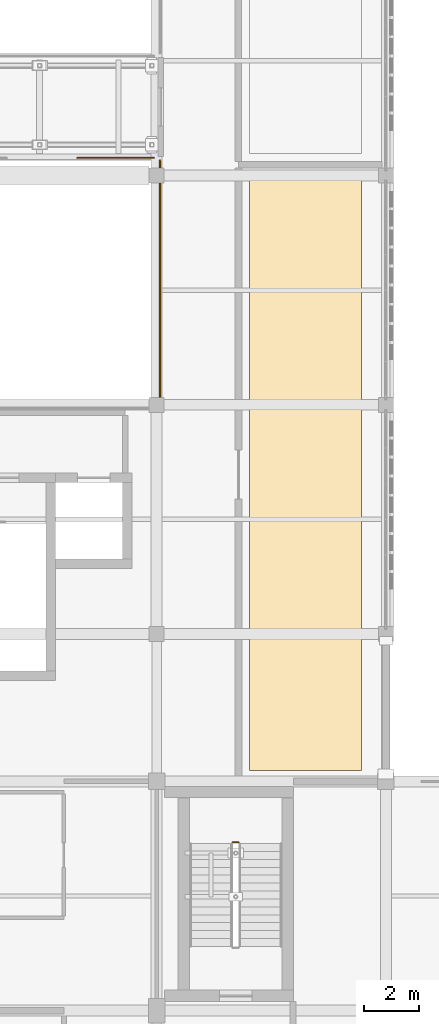
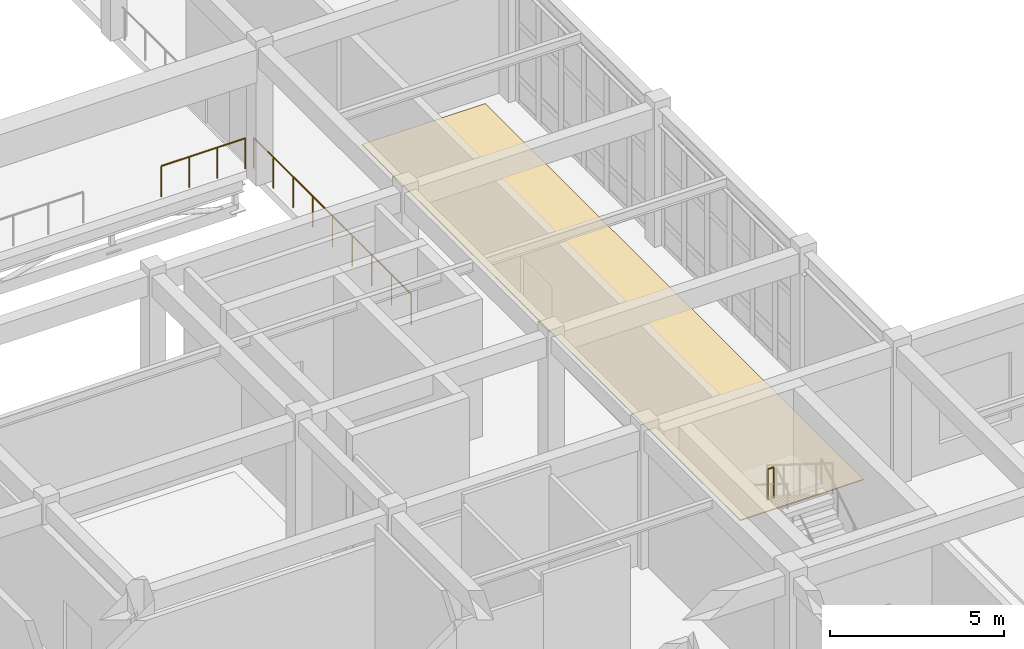
# One storey, part 73 of 77: 3 railings, 1 covering.
"""IFC4 building model written with IfcOpenShell, lengths in metres."""

from ifc_helpers import new_model, si_unit, direction, frame, origin, origin_2d, place, context, subcontext, project, spatial, polyline, circle, outline, extrude, material, layer, layer_set, type_object, element, save


model = new_model("IFC4")

# Units and contexts
model_context = context("Model", 3, precision=1e-05, world=origin(), true_north=direction((0.0, 1.0)))
body_context = subcontext(model_context, "Body", "Model", "MODEL_VIEW")
ifc_project = project(units=[si_unit("LENGTHUNIT", "METRE"), si_unit("AREAUNIT", "SQUARE_METRE"), si_unit("VOLUMEUNIT", "CUBIC_METRE"), si_unit("PLANEANGLEUNIT", "RADIAN"), si_unit("MASSUNIT", "GRAM", prefix="KILO")], contexts=[model_context])

# Site, building, storey
site_placement = place(None, origin())
site = spatial("IfcSite", under=ifc_project, at=site_placement, CompositionType="ELEMENT")
building_placement = place(site_placement, origin())
building = spatial("IfcBuilding", under=site, at=building_placement, Name="Krzemoval Escarpment Law Courts", CompositionType="ELEMENT")
storey_placement = place(building_placement, frame((0.0, 0.0, 15.300048828125)))
storey = spatial("IfcBuildingStorey", under=building, at=storey_placement, Name="L03", CompositionType="ELEMENT", Elevation=15.300048828125)

# Covering
ifc_material_1 = material(Name="Honed Silesian Granite Stone Flooring", Category="masonry")
ifc_layer = layer(ifc_material_1, 0.030029296875)
ifc_layer_set = layer_set([ifc_layer], Name="Honed Silesian Granite Stone Flooring")
covering_type = type_object("IfcCoveringType", Name="COV-FLR-STN30", PredefinedType="FLOORING", material=ifc_layer_set)
covering_placement = place(storey_placement, origin())
element("IfcCovering", 1, at=covering_placement, inside=storey, type_object=covering_type, Name="Stone Floor Finish FLR-L03-39", PredefinedType="FLOORING", context=body_context, shape_type="SweptSolid", body=[
    extrude(outline(polyline([(37.0, 35.800048828125), (37.0, 57.60009765625), (41.10009765625, 57.60009765625), (41.10009765625, 35.800048828125), (37.0, 35.800048828125)])), origin(), (0.0, 0.0, 1.0), 0.030029296875),
])

# Railings
ifc_material_2 = material(Name="Stainless Steel Grade 316L and Laminated Safety Glass Guard", Category="steel")
railing_type_1 = type_object("IfcRailingType", Name="RL-BAL-1100", PredefinedType="BALUSTRADE", material=ifc_material_2)
railing_1_placement = place(storey_placement, frame((33.719970703125, 49.080078125, 0.0)))
element("IfcRailing", 2, at=railing_1_placement, inside=storey, type_object=railing_type_1, Name="Atrium Void Balustrade VG-L03-087", PredefinedType="BALUSTRADE", context=body_context, shape_type="SweptSolid", body=[
    extrude(circle(Radius=0.02392578125, at=origin_2d()), frame((0.0, 0.0, 1.076171875), z_axis=(0.0, 1.0, 0.0), x_axis=(-1.0, 0.0, 0.0)), (0.0, 0.0, 1.0), 9.06982421875),
    extrude(circle(Radius=0.02099609375, at=origin_2d()), origin(), (0.0, 0.0, 1.0), 1.052001953125),
    extrude(circle(Radius=0.02099609375, at=origin_2d()), frame((0.0, 1.1337890625, 0.0)), (0.0, 0.0, 1.0), 1.052001953125),
    extrude(circle(Radius=0.02099609375, at=origin_2d()), frame((0.0, 2.267578125, 0.0)), (0.0, 0.0, 1.0), 1.052001953125),
    extrude(circle(Radius=0.02099609375, at=origin_2d()), frame((0.0, 3.401123046875, 0.0)), (0.0, 0.0, 1.0), 1.052001953125),
    extrude(circle(Radius=0.02099609375, at=origin_2d()), frame((0.0, 4.534912109375, 0.0)), (0.0, 0.0, 1.0), 1.052001953125),
    extrude(circle(Radius=0.02099609375, at=origin_2d()), frame((0.0, 5.668701171875, 0.0)), (0.0, 0.0, 1.0), 1.052001953125),
    extrude(circle(Radius=0.02099609375, at=origin_2d()), frame((0.0, 6.80224609375, 0.0)), (0.0, 0.0, 1.0), 1.052001953125),
    extrude(circle(Radius=0.02099609375, at=origin_2d()), frame((0.0, 7.93603515625, 0.0)), (0.0, 0.0, 1.0), 1.052001953125),
    extrude(circle(Radius=0.02099609375, at=origin_2d()), frame((0.0, 9.06982421875, 0.0)), (0.0, 0.0, 1.0), 1.052001953125),
])
railing_2_placement = place(storey_placement, frame((30.699951171875, 58.25, 0.0)))
element("IfcRailing", 3, at=railing_2_placement, inside=storey, type_object=railing_type_1, Name="Sky-Bridge South Guardrail BG-L03-104", PredefinedType="BALUSTRADE", context=body_context, shape_type="SweptSolid", body=[
    extrude(circle(Radius=0.02392578125, at=origin_2d()), frame((0.0, 0.0, 1.076171875), z_axis=(1.0, 0.0, 0.0), x_axis=(0.0, 1.0, 0.0)), (0.0, 0.0, 1.0), 2.800048828125),
    extrude(circle(Radius=0.02099609375, at=origin_2d()), origin(), (0.0, 0.0, 1.0), 1.052001953125),
    extrude(circle(Radius=0.02099609375, at=origin_2d()), frame((0.933349609375, 0.0, 0.0)), (0.0, 0.0, 1.0), 1.052001953125),
    extrude(circle(Radius=0.02099609375, at=origin_2d()), frame((1.86669921875, 0.0, 0.0)), (0.0, 0.0, 1.0), 1.052001953125),
    extrude(circle(Radius=0.02099609375, at=origin_2d()), frame((2.800048828125, 0.0, 0.0)), (0.0, 0.0, 1.0), 1.052001953125),
])
ifc_material_3 = material(Name="Galvanised Steel S355", Category="steel")
railing_type_2 = type_object("IfcRailingType", Name="RL-GRD-1100", PredefinedType="GUARDRAIL", material=ifc_material_3)
railing_3_placement = place(storey_placement, frame((36.60009765625, 33.169921875, 2.550048828125)))
element("IfcRailing", 4, at=railing_3_placement, inside=storey, type_object=railing_type_2, Name="L03 ST9 stair guard 2", PredefinedType="GUARDRAIL", context=body_context, shape_type="SweptSolid", body=[
    extrude(circle(Radius=0.02392578125, at=origin_2d()), frame((0.0, 0.0, 1.076171875), z_axis=(-1.0, 0.0, 0.0), x_axis=(0.0, -1.0, 0.0)), (0.0, 0.0, 1.0), 0.2001953125),
    extrude(circle(Radius=0.02099609375, at=origin_2d()), origin(), (0.0, 0.0, 1.0), 1.052001953125),
    extrude(circle(Radius=0.02099609375, at=origin_2d()), frame((-0.2001953125, 0.0, 0.0)), (0.0, 0.0, 1.0), 1.052001953125),
])

save(model, "model.ifc")
